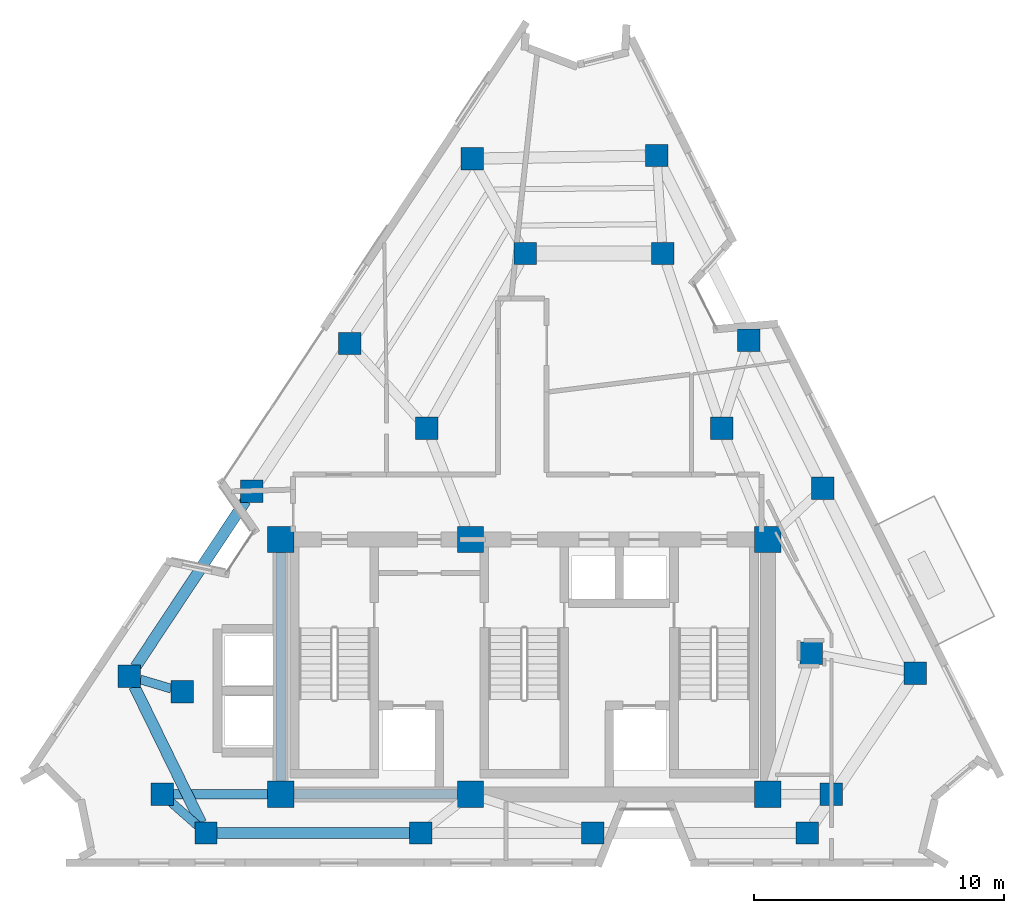
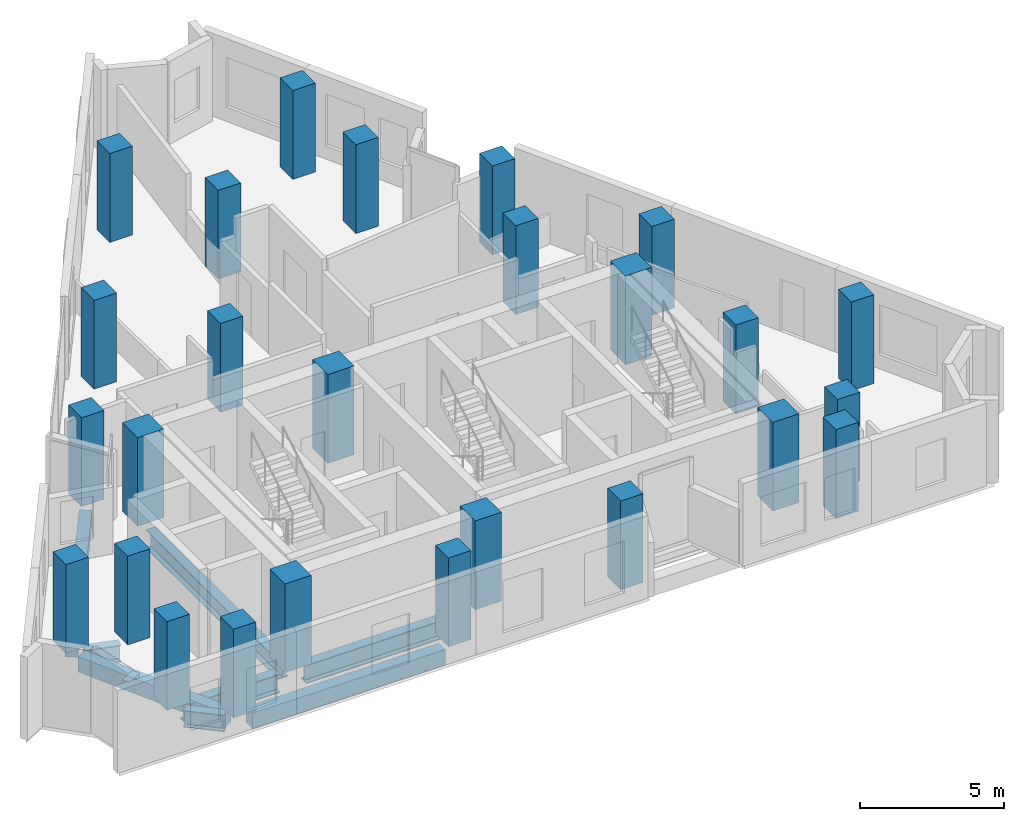
# One storey, part 1 of 9: 26 columns, 8 beams.
"""IFC4 building model written with IfcOpenShell, lengths in metres."""

from ifc_helpers import new_model, si_unit, direction, frame, origin, origin_2d, place, context, subcontext, project, spatial, rectangle, i_section, extrude, material, material_profile, profile_set, type_object, element, save


model = new_model("IFC4")

# Units and contexts
model_context = context("Model", 3, precision=1e-05, world=origin(), true_north=direction((0.0, 1.0)))
body_context = subcontext(model_context, "Body", "Model", "MODEL_VIEW")
ifc_project = project(units=[si_unit("LENGTHUNIT", "METRE"), si_unit("AREAUNIT", "SQUARE_METRE"), si_unit("VOLUMEUNIT", "CUBIC_METRE"), si_unit("PLANEANGLEUNIT", "RADIAN"), si_unit("MASSUNIT", "GRAM", prefix="KILO")], contexts=[model_context])

# Site, building, storey
site_placement = place(None, origin())
site = spatial("IfcSite", under=ifc_project, at=site_placement, CompositionType="ELEMENT")
building_placement = place(site_placement, origin())
building = spatial("IfcBuilding", under=site, at=building_placement, Name="Almagre Mirador Tower", CompositionType="ELEMENT")
storey_placement = place(building_placement, frame((0.0, 0.0, 267.0)))
storey = spatial("IfcBuildingStorey", under=building, at=storey_placement, Name="L69", CompositionType="ELEMENT", Elevation=267.0)

# Columns
ifc_material_1 = material(Name="Concrete C60/75", Category="concrete")
ifc_material_profile_1 = material_profile(ifc_material_1, rectangle(XDim=1.050048828125, YDim=1.050048828125, at=origin_2d()), Name="RC1050X1050")
ifc_profile_set_1 = profile_set([ifc_material_profile_1], Name="Concrete C60/75")
column_type_1 = type_object("IfcColumnType", Name="COL-RC1050", PredefinedType="COLUMN", material=ifc_profile_set_1)
for number, where, z_axis, x_axis, name in (
    (1, (27.550048828125, 4.550048828125, 0.0), (0.0, 0.0, 1.0), (1.0, 0.0, 0.0), "L69 core spine column CC1"),
    (2, (35.14990234375, 4.550048828125, 0.0), (0.0, 0.0, 1.0), (1.0, 0.0, 0.0), "L69 core spine column CC2"),
    (3, (47.050048828125, 4.550048828125, 0.0), (0.0, 0.0, 1.0), (1.0, 0.0, 0.0), "L69 core spine column CC3"),
    (4, (27.550048828125, 14.75, 0.0), (0.0, 0.0, 1.0), (1.0, 0.0, 0.0), "L69 core spine column CC4"),
    (5, (35.14990234375, 14.75, 0.0), (0.0, 0.0, 1.0), (1.0, 0.0, 0.0), "L69 core spine column CC5"),
    (6, (47.050048828125, 14.75, 0.0), (0.0, 0.0, 1.0), (1.0, 0.0, 0.0), "L69 core spine column CC6"),
):
    element("IfcColumn", number, at=place(storey_placement, frame(where, z_axis=z_axis, x_axis=x_axis)), inside=storey, type_object=column_type_1, Name=name, PredefinedType="COLUMN", context=body_context, shape_type="SweptSolid", body=[
        extrude(rectangle(XDim=1.050048828125, YDim=1.050048828125, at=origin_2d()), origin(), (0.0, 0.0, 1.0), 3.75),
    ])
ifc_material_2 = material(Name="Concrete C60/75", Category="concrete")
ifc_material_profile_2 = material_profile(ifc_material_2, rectangle(XDim=0.89990234375, YDim=0.89990234375, at=origin_2d()), Name="RC900X900")
ifc_profile_set_2 = profile_set([ifc_material_profile_2], Name="Concrete C60/75")
column_type_2 = type_object("IfcColumnType", Name="COL-RC900", PredefinedType="COLUMN", material=ifc_profile_set_2)
for number, where, z_axis, x_axis, name in (
    (7, (22.800048828125, 4.550048828125, 0.0), (0.0, 0.0, 1.0), (1.0, 0.0, 0.0), "L69 interior transfer column MC1"),
    (8, (49.60009765625, 4.550048828125, 0.0), (0.0, 0.0, 1.0), (1.0, 0.0, 0.0), "L69 interior transfer column MC2"),
    (9, (48.800048828125, 10.199951171875, 0.0), (0.0, 0.0, 1.0), (1.0, 0.0, 0.0), "L69 interior transfer column MC3"),
    (10, (45.199951171875, 19.199951171875, 0.0), (0.0, 0.0, 1.0), (1.0, 0.0, 0.0), "L69 interior transfer column MC5"),
    (11, (42.85009765625, 26.199951171875, 0.0), (0.0, 0.0, 1.0), (1.0, 0.0, 0.0), "L69 interior transfer column MC6"),
    (12, (37.35009765625, 26.199951171875, 0.0), (0.0, 0.0, 1.0), (1.0, 0.0, 0.0), "L69 interior transfer column MC7"),
    (13, (33.39990234375, 19.199951171875, 0.0), (0.0, 0.0, 1.0), (1.0, 0.0, 0.0), "L69 interior transfer column MC8"),
    (14, (23.60009765625, 8.64990234375, 0.0), (0.0, 0.0, 1.0), (1.0, 0.0, 0.0), "L69 interior transfer column MC10"),
    (15, (24.56005859375, 3.0, 0.0), (0.0, 0.0, 1.0), (1.0, 0.0, 0.0), "L69 perimeter column PC01"),
    (16, (33.159912109375, 3.0, 0.0), (0.0, 0.0, 1.0), (1.0, 0.0, 0.0), "L69 perimeter column PC02"),
    (17, (40.0400390625, 3.0, 0.0), (0.0, 0.0, 1.0), (1.0, 0.0, 0.0), "L69 perimeter column PC03"),
    (18, (48.639892578125, 3.0, 0.0), (0.0, 0.0, 1.0), (1.0, 0.0, 0.0), "L69 perimeter column PC04"),
    (19, (52.95703125, 9.403076171875, 0.0), (0.0, 0.0, 1.0), (1.0, 0.0, 0.0), "L69 perimeter column PC05"),
    (20, (49.257080078125, 16.802978515625, 0.0), (0.0, 0.0, 1.0), (1.0, 0.0, 0.0), "L69 perimeter column PC06"),
    (21, (46.297119140625, 22.722900390625, 0.0), (0.0, 0.0, 1.0), (1.0, 0.0, 0.0), "L69 perimeter column PC07"),
    (22, (42.596923828125, 30.123046875, 0.0), (0.0, 0.0, 1.0), (1.0, 0.0, 0.0), "L69 perimeter column PC08"),
    (23, (35.2109375, 29.9970703125, 0.0), (0.0, 0.0, 1.0), (1.0, 0.0, 0.0), "L69 perimeter column PC09"),
    (24, (30.31103515625, 22.596923828125, 0.0), (0.0, 0.0, 1.0), (1.0, 0.0, 0.0), "L69 perimeter column PC10"),
    (25, (26.39111328125, 16.677001953125, 0.0), (0.0, 0.0, 1.0), (1.0, 0.0, 0.0), "L69 perimeter column PC11"),
    (26, (21.490966796875, 9.277099609375, 0.0), (0.0, 0.0, 1.0), (1.0, 0.0, 0.0), "L69 perimeter column PC12"),
):
    element("IfcColumn", number, at=place(storey_placement, frame(where, z_axis=z_axis, x_axis=x_axis)), inside=storey, type_object=column_type_2, Name=name, PredefinedType="COLUMN", context=body_context, shape_type="SweptSolid", body=[
        extrude(rectangle(XDim=0.89990234375, YDim=0.89990234375, at=origin_2d()), origin(), (0.0, 0.0, 1.0), 3.75),
    ])

# Beams
ifc_material_3 = material(Name="Precast concrete C50/60", Category="concrete")
ifc_material_profile_3 = material_profile(ifc_material_3, rectangle(XDim=0.449951171875, YDim=0.64990234375, at=origin_2d()), Name="RC450X650")
ifc_profile_set_3 = profile_set([ifc_material_profile_3], Name="Precast concrete C50/60")
beam_type_1 = type_object("IfcBeamType", Name="BM-SPN-RC450X650", PredefinedType="SPANDREL", material=ifc_profile_set_3)
beam_1_placement = place(storey_placement, frame((25.010009765625, 3.0, -0.574951171875), z_axis=(1.0, 0.0, 0.0), x_axis=(0.0, 1.0, 0.0)))
element("IfcBeam", 27, at=beam_1_placement, inside=storey, type_object=beam_type_1, Name="L69 perimeter spandrel beam PC01-PC02", PredefinedType="SPANDREL", context=body_context, shape_type="SweptSolid", body=[
    extrude(rectangle(XDim=0.449951171875, YDim=0.64990234375, at=origin_2d()), origin(), (0.0, 0.0, 1.0), 7.699951171875),
])
beam_2_placement = place(storey_placement, frame((26.142578125, 16.3017578125, -0.574951171875), z_axis=(-0.552090728818, -0.833784041076, 0.0), x_axis=(0.833784041076, -0.552090728818, 0.0)))
element("IfcBeam", 28, at=beam_2_placement, inside=storey, type_object=beam_type_1, Name="L69 perimeter spandrel beam PC11-PC12", PredefinedType="SPANDREL", context=body_context, shape_type="SweptSolid", body=[
    extrude(rectangle(XDim=0.449951171875, YDim=0.64990234375, at=origin_2d()), origin(), (0.0, 0.0, 1.0), 7.975341796875),
])
beam_3_placement = place(storey_placement, frame((21.688720703125, 8.872802734375, -0.574951171875), z_axis=(0.439222360978, -0.898378382207, 0.0), x_axis=(0.898378382207, 0.439222360978, 0.0)))
element("IfcBeam", 29, at=beam_3_placement, inside=storey, type_object=beam_type_1, Name="L69 perimeter spandrel beam PC12-PC01", PredefinedType="SPANDREL", context=body_context, shape_type="SweptSolid", body=[
    extrude(rectangle(XDim=0.449951171875, YDim=0.64990234375, at=origin_2d()), origin(), (0.0, 0.0, 1.0), 6.087158203125),
])
ifc_material_4 = material(Name="Steel ASTM A992 Grade 50", Category="steel")
ifc_material_profile_4 = material_profile(ifc_material_4, i_section(OverallWidth=0.35791015625, OverallDepth=0.7060546875, WebThickness=0.018310546875, FlangeThickness=0.0302734375, FilletRadius=0.02197265625, at=origin_2d()), Name="W27X178")
ifc_profile_set_4 = profile_set([ifc_material_profile_4], Name="Steel ASTM A992 Grade 50")
beam_type_2 = type_object("IfcBeamType", Name="BM-STL-W27X178", PredefinedType="BEAM", material=ifc_profile_set_4)
beam_4_placement = place(storey_placement, frame((24.222412109375, 3.29736328125, -0.60302734375), z_axis=(-0.750448751167, 0.660928643555, 0.0), x_axis=(-0.660928643555, -0.750448751167, 0.0)))
element("IfcBeam", 30, at=beam_4_placement, inside=storey, type_object=beam_type_2, Name="L69 radial floor girder PC01-MC1", PredefinedType="BEAM", context=body_context, shape_type="SweptSolid", body=[
    extrude(i_section(OverallWidth=0.35791015625, OverallDepth=0.7060546875, WebThickness=0.018310546875, FlangeThickness=0.0302734375, FilletRadius=0.02197265625, at=origin_2d()), origin(), (0.0, 0.0, 1.0), 1.4453125),
])
beam_5_placement = place(storey_placement, frame((21.92236328125, 9.148681640625, -0.60302734375), z_axis=(0.958572390617, -0.284849033607, 0.0), x_axis=(0.284849033607, 0.958572390617, 0.0)))
element("IfcBeam", 31, at=beam_5_placement, inside=storey, type_object=beam_type_2, Name="L69 radial floor girder PC12-MC10", PredefinedType="BEAM", context=body_context, shape_type="SweptSolid", body=[
    extrude(i_section(OverallWidth=0.35791015625, OverallDepth=0.7060546875, WebThickness=0.018310546875, FlangeThickness=0.0302734375, FilletRadius=0.02197265625, at=origin_2d()), origin(), (0.0, 0.0, 1.0), 1.30029296875),
])
ifc_material_5 = material(Name="Steel ASTM A992 Grade 50", Category="steel")
ifc_material_profile_5 = material_profile(ifc_material_5, i_section(OverallWidth=0.384033203125, OverallDepth=0.784912109375, WebThickness=0.019775390625, FlangeThickness=0.033447265625, FilletRadius=0.02392578125, at=origin_2d()), Name="W30X211")
ifc_profile_set_5 = profile_set([ifc_material_profile_5], Name="Steel ASTM A992 Grade 50")
beam_type_3 = type_object("IfcBeamType", Name="BM-STL-W30X211", PredefinedType="BEAM", material=ifc_profile_set_5)
beam_6_placement = place(storey_placement, frame((28.074951171875, 4.550048828125, -0.642578125), z_axis=(1.0, 0.0, 0.0), x_axis=(0.0, 1.0, 0.0)))
element("IfcBeam", 32, at=beam_6_placement, inside=storey, type_object=beam_type_3, Name="L69 core tie girder CC1-CC2", PredefinedType="BEAM", context=body_context, shape_type="SweptSolid", body=[
    extrude(i_section(OverallWidth=0.384033203125, OverallDepth=0.784912109375, WebThickness=0.019775390625, FlangeThickness=0.033447265625, FilletRadius=0.02392578125, at=origin_2d()), origin(), (0.0, 0.0, 1.0), 6.550048828125),
])
beam_7_placement = place(storey_placement, frame((27.550048828125, 5.074951171875, -0.642578125), z_axis=(0.0, 1.0, 0.0), x_axis=(-1.0, 0.0, 0.0)))
element("IfcBeam", 33, at=beam_7_placement, inside=storey, type_object=beam_type_3, Name="L69 core tie girder CC1-CC4", PredefinedType="BEAM", context=body_context, shape_type="SweptSolid", body=[
    extrude(i_section(OverallWidth=0.384033203125, OverallDepth=0.784912109375, WebThickness=0.019775390625, FlangeThickness=0.033447265625, FilletRadius=0.02392578125, at=origin_2d()), origin(), (0.0, 0.0, 1.0), 9.150146484375),
])
beam_8_placement = place(storey_placement, frame((23.25, 4.550048828125, -0.642578125), z_axis=(1.0, 0.0, 0.0), x_axis=(0.0, 1.0, 0.0)))
element("IfcBeam", 34, at=beam_8_placement, inside=storey, type_object=beam_type_3, Name="L69 core tie girder MC1-CC1", PredefinedType="BEAM", context=body_context, shape_type="SweptSolid", body=[
    extrude(i_section(OverallWidth=0.384033203125, OverallDepth=0.784912109375, WebThickness=0.019775390625, FlangeThickness=0.033447265625, FilletRadius=0.02392578125, at=origin_2d()), origin(), (0.0, 0.0, 1.0), 3.77490234375),
])

save(model, "model.ifc")
